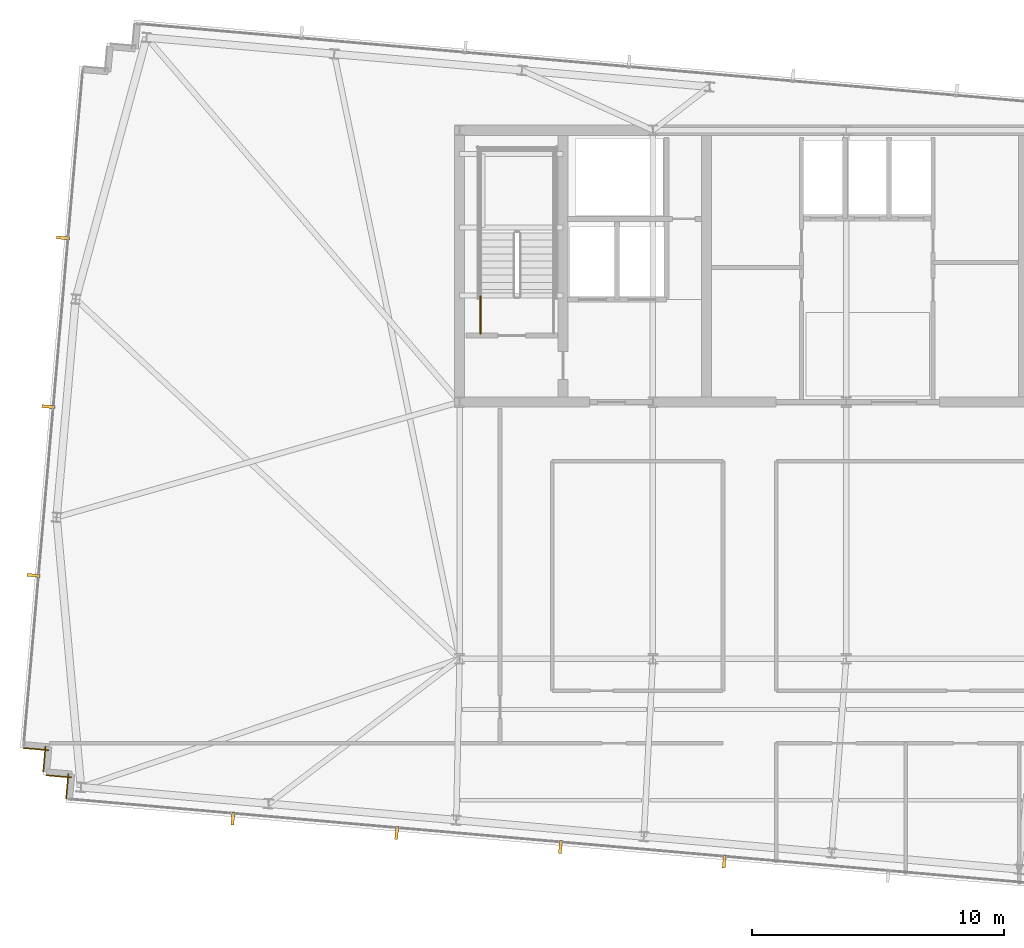
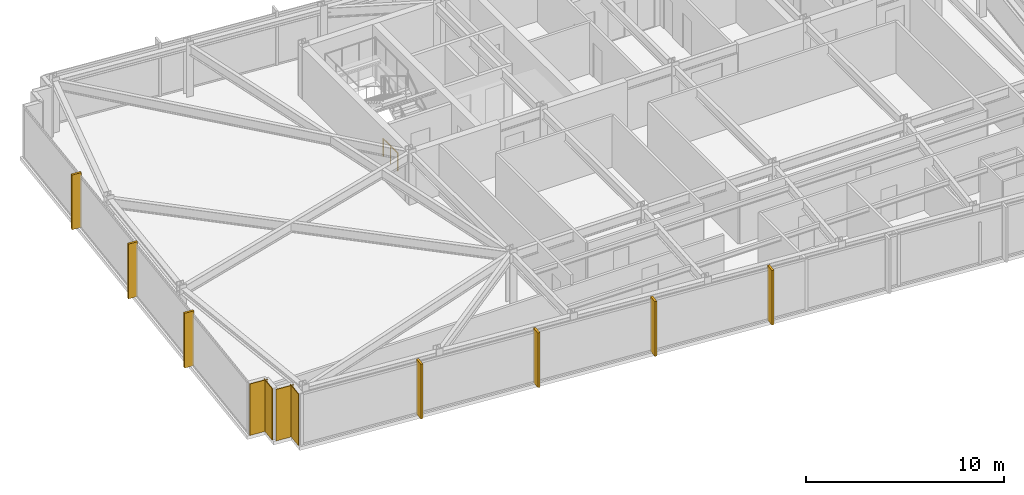
# One storey, part 29 of 32: 7 shading devices, 4 coverings, 1 railing.
"""IFC4 building model written with IfcOpenShell, lengths in metres."""

from ifc_helpers import new_model, si_unit, direction, frame, frame_2d, origin, origin_2d, place, context, subcontext, project, spatial, rectangle, circle, extrude, material, layer, layer_set, type_object, element, save


model = new_model("IFC4")

# Units and contexts
model_context = context("Model", 3, precision=1e-05, world=origin(), true_north=direction((0.0, 1.0)))
body_context = subcontext(model_context, "Body", "Model", "MODEL_VIEW")
ifc_project = project(units=[si_unit("LENGTHUNIT", "METRE"), si_unit("AREAUNIT", "SQUARE_METRE"), si_unit("VOLUMEUNIT", "CUBIC_METRE"), si_unit("PLANEANGLEUNIT", "RADIAN"), si_unit("MASSUNIT", "GRAM", prefix="KILO")], contexts=[model_context])

# Site, building, storey
site_placement = place(None, origin())
site = spatial("IfcSite", under=ifc_project, at=site_placement, CompositionType="ELEMENT")
building_placement = place(site_placement, origin())
building = spatial("IfcBuilding", under=site, at=building_placement, Name="Yelkora Congress Tower", CompositionType="ELEMENT")
storey_placement = place(building_placement, frame((0.0, 0.0, 276.10009765625)))
storey = spatial("IfcBuildingStorey", under=building, at=storey_placement, Name="L77", CompositionType="ELEMENT", Elevation=276.10009765625)

# Coverings
ifc_material_1 = material(Name="Anatolian bush-hammered limestone", Category="masonry")
ifc_layer_1 = layer(ifc_material_1, 0.0400390625)
ifc_layer_set_1 = layer_set([ifc_layer_1], Name="Anatolian bush-hammered limestone")
covering_type = type_object("IfcCoveringType", Name="COV-CLAD-SPANDREL-40", PredefinedType="CLADDING", material=ifc_layer_set_1)
for number, where, z_axis, x_axis, name in (
    (1, (7.41064453125, 19.63720703125, 0.0), (0.0, 0.0, 1.0), (0.087166950281, 0.996193717496, 0.0), "L77 Anatolian Limestone Cladding EW-L77-SR01"),
    (2, (7.62060546875, 20.4873046875, 0.0), (0.0, 0.0, 1.0), (-0.996214890596, 0.086924632611, 0.0), "L77 Anatolian Limestone Cladding EW-L77-SR02"),
):
    element("IfcCovering", number, at=place(storey_placement, frame(where, z_axis=z_axis, x_axis=x_axis)), inside=storey, type_object=covering_type, Name=name, PredefinedType="CLADDING", context=body_context, shape_type="SweptSolid", body=[
        extrude(rectangle(XDim=1.0, YDim=0.0400390625, at=frame_2d((0.5, 0.0))), origin(), (0.0, 0.0, 1.0), 3.179931640625),
    ])
covering_1_placement = place(storey_placement, frame((6.501708984375, 20.720458984375, 0.0), z_axis=(0.0, 0.0, 1.0), x_axis=(0.087145753297, 0.996195572005, 0.0)))
element("IfcCovering", 3, at=covering_1_placement, inside=storey, type_object=covering_type, Name="L77 Anatolian Limestone Cladding EW-L77-SR03", PredefinedType="CLADDING", context=body_context, shape_type="SweptSolid", body=[
    extrude(rectangle(XDim=1.000244140625, YDim=0.0400390625, at=frame_2d((0.5, 0.0))), origin(), (0.0, 0.0, 1.0), 3.179931640625),
])
covering_2_placement = place(storey_placement, frame((6.71142578125, 21.570556640625, 0.0), z_axis=(0.0, 0.0, 1.0), x_axis=(-0.996193717496, 0.087166950281, 0.0)))
element("IfcCovering", 4, at=covering_2_placement, inside=storey, type_object=covering_type, Name="L77 Anatolian Limestone Cladding EW-L77-SR04", PredefinedType="CLADDING", context=body_context, shape_type="SweptSolid", body=[
    extrude(rectangle(XDim=1.0, YDim=0.0400390625, at=frame_2d((0.5, 0.0))), origin(), (0.0, 0.0, 1.0), 3.179931640625),
])

# Railing
ifc_material_2 = material(Name="Painted galvanised steel stair well guard with vertical infill", Category="steel")
ifc_layer_2 = layer(ifc_material_2, 0.06005859375)
ifc_layer_set_2 = layer_set([ifc_layer_2], Name="Painted galvanised steel stair well guard with vertical infill")
railing_type = type_object("IfcRailingType", Name="RAIL-STAIR-GUARD-1120", PredefinedType="GUARDRAIL", material=ifc_layer_set_2)
railing_placement = place(storey_placement, frame((23.8701171875, 38.1201171875, 0.0)))
element("IfcRailing", 5, at=railing_placement, inside=storey, type_object=railing_type, Name="ST-01 L77 Stair Well Guardrail 9", PredefinedType="GUARDRAIL", context=body_context, shape_type="SweptSolid", body=[
    extrude(circle(Radius=0.02392578125, at=origin_2d()), frame((0.0, 0.0, 1.09619140625), z_axis=(0.0, 1.0, 0.0), x_axis=(-1.0, 0.0, 0.0)), (0.0, 0.0, 1.0), 1.47998046875),
    extrude(circle(Radius=0.02099609375, at=origin_2d()), origin(), (0.0, 0.0, 1.0), 1.072021484375),
    extrude(circle(Radius=0.02099609375, at=origin_2d()), frame((0.0, 0.739990234375, 0.0)), (0.0, 0.0, 1.0), 1.072021484375),
    extrude(circle(Radius=0.02099609375, at=origin_2d()), frame((0.0, 1.47998046875, 0.0)), (0.0, 0.0, 1.0), 1.072021484375),
])

# Shading devices
ifc_material_3 = material(Name="Champagne anodised aluminium", Category="aluminium")
ifc_layer_3 = layer(ifc_material_3, 3.300048828125)
ifc_layer_set_3 = layer_set([ifc_layer_3], Name="Champagne anodised aluminium")
shading_device_type = type_object("IfcShadingDeviceType", Name="SHD-FIN-ALU-520", PredefinedType="USERDEFINED", material=ifc_layer_set_3)
for number, where, z_axis, x_axis, name in (
    (6, (6.114501953125, 28.513916015625, -0.030029296875), (0.0, 0.0, 1.0), (0.087155742748, 0.996194698092, 0.0), "L77 Vertical Anodised Solar Fin 5-1"),
    (7, (6.700927734375, 35.218505859375, -0.030029296875), (0.0, 0.0, 1.0), (0.087155742748, 0.996194698092, 0.0), "L77 Vertical Anodised Solar Fin 5-2"),
    (8, (7.28759765625, 41.9228515625, -0.030029296875), (0.0, 0.0, 1.0), (0.087155742748, 0.996194698092, 0.0), "L77 Vertical Anodised Solar Fin 5-3"),
    (9, (33.553955078125, 17.149169921875, -0.030029296875), (0.0, 0.0, 1.0), (-0.996194698092, 0.087155742748, 0.0), "L77 Vertical Anodised Solar Fin 20-3"),
    (10, (27.04736328125, 17.718505859375, -0.030029296875), (0.0, 0.0, 1.0), (-0.996194698092, 0.087155742748, 0.0), "L77 Vertical Anodised Solar Fin 20-4"),
    (11, (20.541015625, 18.28759765625, -0.030029296875), (0.0, 0.0, 1.0), (-0.996194698092, 0.087155742748, 0.0), "L77 Vertical Anodised Solar Fin 20-5"),
    (12, (14.0341796875, 18.85693359375, -0.030029296875), (0.0, 0.0, 1.0), (-0.996194698092, 0.087155742748, 0.0), "L77 Vertical Anodised Solar Fin 20-6"),
):
    element("IfcShadingDevice", number, at=place(storey_placement, frame(where, z_axis=z_axis, x_axis=x_axis)), inside=storey, type_object=shading_device_type, Name=name, ObjectType="FIN", PredefinedType="USERDEFINED", context=body_context, shape_type="SweptSolid", body=[
        extrude(rectangle(XDim=0.1201171875, YDim=0.52001953125, at=origin_2d()), origin(), (0.0, 0.0, 1.0), 3.3798828125),
    ])

save(model, "model.ifc")
